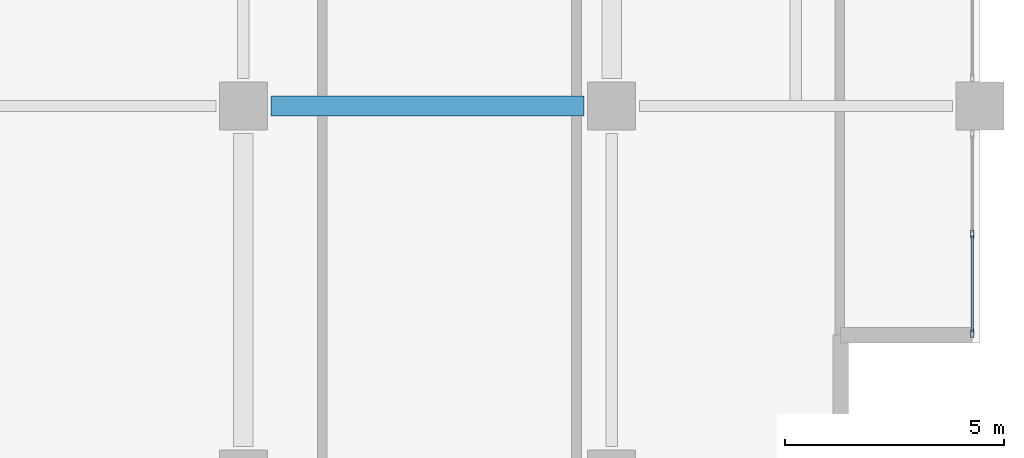
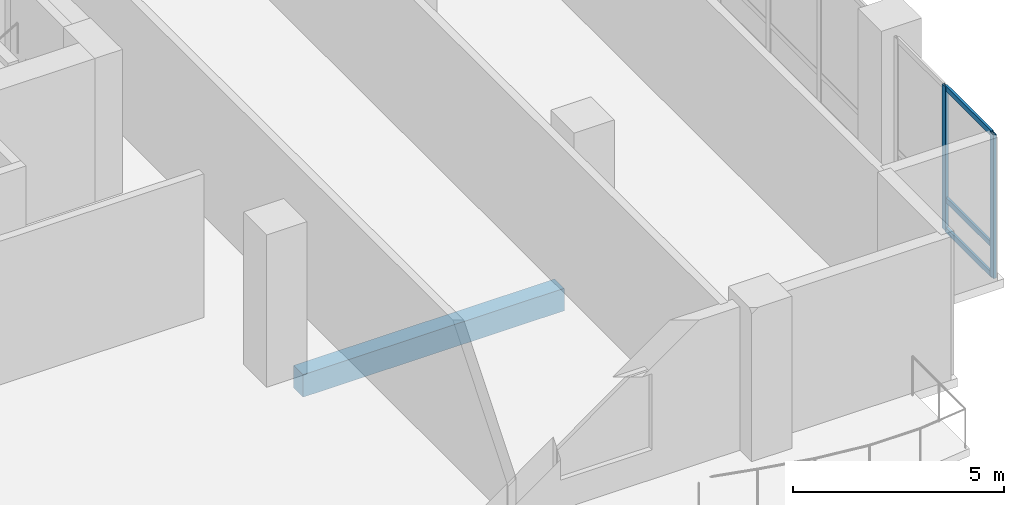
# One storey, part 3 of 22: 5 members, 1 beam, 1 element without a shape of its own.
"""IFC4 building model written with IfcOpenShell, lengths in metres."""

from ifc_helpers import new_model, si_unit, direction, frame, origin, origin_2d, place, context, subcontext, project, spatial, rectangle, hollow_rectangle, extrude, material, layer, layer_set, material_profile, profile_set, type_object, element, aggregate, save


model = new_model("IFC4")

# Units and contexts
model_context = context("Model", 3, precision=1e-05, world=origin(), true_north=direction((0.0, 1.0)))
body_context = subcontext(model_context, "Body", "Model", "MODEL_VIEW")
ifc_project = project(units=[si_unit("LENGTHUNIT", "METRE"), si_unit("AREAUNIT", "SQUARE_METRE"), si_unit("VOLUMEUNIT", "CUBIC_METRE"), si_unit("PLANEANGLEUNIT", "RADIAN"), si_unit("MASSUNIT", "GRAM", prefix="KILO")], contexts=[model_context])

# Site, building, storey
site_placement = place(None, origin())
site = spatial("IfcSite", under=ifc_project, at=site_placement, CompositionType="ELEMENT")
building_placement = place(site_placement, origin())
building = spatial("IfcBuilding", under=site, at=building_placement, Name="Koriwani Terraces Tower", CompositionType="ELEMENT")
storey_placement = place(building_placement, frame((0.0, 0.0, 153.199951171875)))
storey = spatial("IfcBuildingStorey", under=building, at=storey_placement, Name="L37", CompositionType="ELEMENT", Elevation=153.199951171875)

# Beam
ifc_material_1 = material(Name="Concrete C50/60", Category="concrete")
ifc_material_profile_1 = material_profile(ifc_material_1, rectangle(XDim=0.449951171875, YDim=0.64990234375, at=origin_2d()), Name="Concrete C50/60", Category="LoadBearing")
ifc_profile_set_1 = profile_set([ifc_material_profile_1], Name="Concrete C50/60")
beam_type = type_object("IfcBeamType", Name="BEAM_RC_GRID_450X650", PredefinedType="BEAM", material=ifc_profile_set_1)
beam_placement = place(storey_placement, frame((59.429931640625, 8.39990234375, -0.574951171875), z_axis=(1.0, 0.0, 0.0), x_axis=(0.0, 1.0, 0.0)))
element("IfcBeam", 1, at=beam_placement, inside=storey, type_object=beam_type, Name="L37 Grid Beam B (58.8-67.2m)", PredefinedType="BEAM", context=body_context, shape_type="SweptSolid", body=[
    extrude(rectangle(XDim=0.449951171875, YDim=0.64990234375, at=origin_2d()), origin(), (0.0, 0.0, 1.0), 7.14013671875),
])

# Curtain wall, members
ifc_material_2 = material(Name="Anodised Bronze Aluminium", Category="aluminium")
ifc_layer = layer(ifc_material_2, 0.169921875, Name="Anodised Bronze Aluminium")
ifc_layer_set = layer_set([ifc_layer], Name="Anodised Bronze Aluminium")
curtain_wall_type = type_object("IfcCurtainWallType", Name="CW_RES_ZONE3", PredefinedType="NOTDEFINED", material=ifc_layer_set)
curtain_wall_placement = place(storey_placement, origin())
curtain_wall = element("IfcCurtainWall", 2, at=curtain_wall_placement, inside=storey, type_object=curtain_wall_type, Name="L37 Unitised Curtain Wall (E_TIP) Bay 4", PredefinedType="NOTDEFINED")
ifc_material_profile_2 = material_profile(ifc_material_2, hollow_rectangle(XDim=0.074951171875, YDim=0.179931640625, WallThickness=0.006103515625, at=origin_2d()), Name="Anodised Bronze Aluminium", Category="LoadBearing")
ifc_profile_set_2 = profile_set([ifc_material_profile_2], Name="Anodised Bronze Aluminium")
member_type_1 = type_object("IfcMemberType", Name="CW_MULLION_180X75", PredefinedType="MULLION", material=ifc_profile_set_2)
member_1_placement = place(storey_placement, frame((75.425048828125, 5.482421875, 0.0), z_axis=(0.0, 0.0, 1.0), x_axis=(1.0, 0.0, 0.0)))
member_1 = element("IfcMember", 3, at=member_1_placement, type_object=member_type_1, Name="CW-Z3 mullion 2", PredefinedType="MULLION", context=body_context, shape_type="SweptSolid", body=[
    extrude(hollow_rectangle(XDim=0.074951171875, YDim=0.179931640625, WallThickness=0.006103515625, at=origin_2d()), origin(), (0.0, 0.0, 1.0), 4.150146484375),
])
member_2_placement = place(storey_placement, frame((75.425048828125, 3.21240234375, 0.0), z_axis=(0.0, 0.0, 1.0), x_axis=(1.0, 0.0, 0.0)))
member_2 = element("IfcMember", 4, at=member_2_placement, type_object=member_type_1, Name="CW-Z3 mullion 3", PredefinedType="MULLION", context=body_context, shape_type="SweptSolid", body=[
    extrude(hollow_rectangle(XDim=0.074951171875, YDim=0.179931640625, WallThickness=0.006103515625, at=origin_2d()), origin(), (0.0, 0.0, 1.0), 4.150146484375),
])
ifc_material_profile_3 = material_profile(ifc_material_2, hollow_rectangle(XDim=0.06494140625, YDim=0.14990234375, WallThickness=0.0048828125, at=origin_2d()), Name="Anodised Bronze Aluminium", Category="LoadBearing")
ifc_profile_set_3 = profile_set([ifc_material_profile_3], Name="Anodised Bronze Aluminium")
member_type_2 = type_object("IfcMemberType", Name="CW_TRANSOM_150X65", PredefinedType="USERDEFINED", material=ifc_profile_set_3)
member_3_placement = place(storey_placement, frame((75.425048828125, 5.445068359375, 0.032470703125), z_axis=(0.0, -1.0, 0.0), x_axis=(1.0, 0.0, 0.0)))
member_3 = element("IfcMember", 5, at=member_3_placement, type_object=member_type_2, Name="CW-Z3 transom 2.1", ObjectType="TRANSOM", PredefinedType="USERDEFINED", context=body_context, shape_type="SweptSolid", body=[
    extrude(hollow_rectangle(XDim=0.06494140625, YDim=0.14990234375, WallThickness=0.0048828125, at=origin_2d()), origin(), (0.0, 0.0, 1.0), 2.195068359375),
])
member_4_placement = place(storey_placement, frame((75.425048828125, 5.445068359375, 0.900146484375), z_axis=(0.0, -1.0, 0.0), x_axis=(1.0, 0.0, 0.0)))
member_4 = element("IfcMember", 6, at=member_4_placement, type_object=member_type_2, Name="CW-Z3 transom 2.2", ObjectType="TRANSOM", PredefinedType="USERDEFINED", context=body_context, shape_type="SweptSolid", body=[
    extrude(hollow_rectangle(XDim=0.06494140625, YDim=0.14990234375, WallThickness=0.0048828125, at=origin_2d()), origin(), (0.0, 0.0, 1.0), 2.195068359375),
])
member_5_placement = place(storey_placement, frame((75.425048828125, 5.445068359375, 4.117431640625), z_axis=(0.0, -1.0, 0.0), x_axis=(1.0, 0.0, 0.0)))
member_5 = element("IfcMember", 7, at=member_5_placement, type_object=member_type_2, Name="CW-Z3 transom 2.3", ObjectType="TRANSOM", PredefinedType="USERDEFINED", context=body_context, shape_type="SweptSolid", body=[
    extrude(hollow_rectangle(XDim=0.06494140625, YDim=0.14990234375, WallThickness=0.0048828125, at=origin_2d()), origin(), (0.0, 0.0, 1.0), 2.195068359375),
])
aggregate(curtain_wall, [member_1, member_2, member_3, member_4, member_5])

save(model, "model.ifc")
